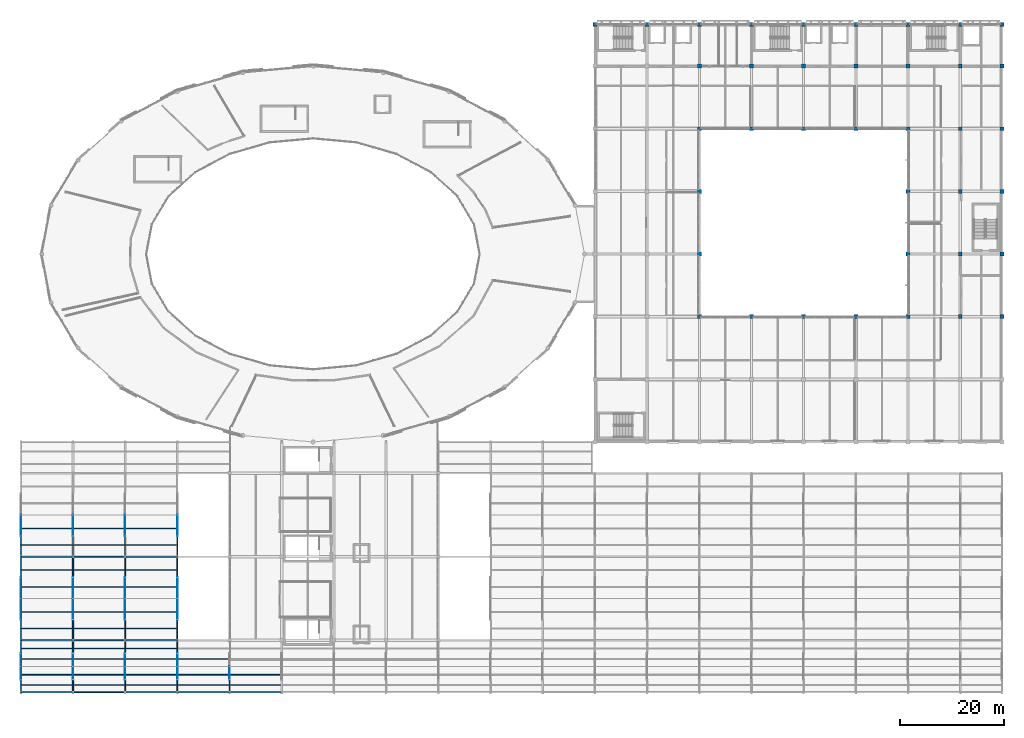
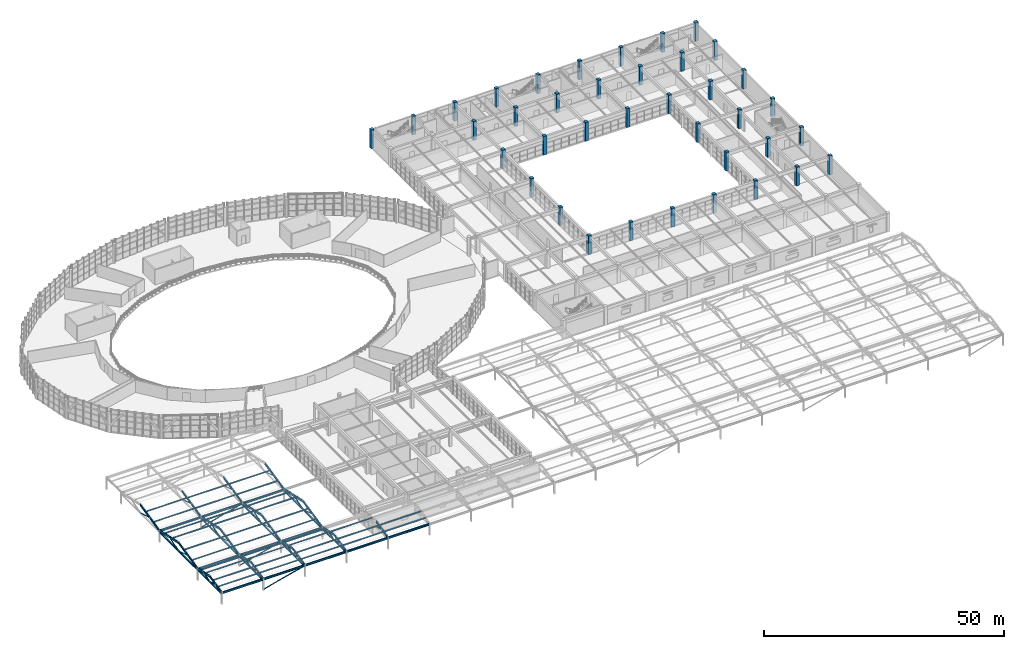
# One storey, part 14 of 109: 67 members, 38 columns, 32 beams.
"""IFC4 building model written with IfcOpenShell, lengths in metres."""

import ifcopenshell
import ifcopenshell.guid

model = None  # the IFC model being written
_history = None  # IfcOwnerHistory: only IFC2X3 demands one
_inside = {}  # id of a spatial element -> (the spatial element, [elements in it])
_under = {}  # id of a project, library or spatial element -> (it, [spatial elements below it])
_declared = {}  # id of a project -> (the project, [libraries it declares])
_typed = {}  # id of a type object -> (the type object, [elements of that type])
_made_of = {}  # id of a material, layer set ... -> (it, [elements and type objects made of it])


def new_model(schema):
    """Start an empty IFC model of exactly this schema.

    Asked for "IFC4X3", IfcOpenShell would pick the latest addendum, in which some entities
    have other attributes; the version numbers below select the first issue.
    IFC2X3 requires an IfcOwnerHistory on every rooted entity: one is made here for all.
    """
    global model, _history
    if schema == "IFC4X3":
        model = ifcopenshell.file(schema_version=(4, 3, 0, 0))
    else:
        model = ifcopenshell.file(schema=schema)
    _inside.clear()
    _under.clear()
    _declared.clear()
    _typed.clear()
    _made_of.clear()
    _history = None
    if model.schema == "IFC2X3":
        org = make("IfcOrganization", Name="unknown")
        user = make(
            "IfcPersonAndOrganization",
            ThePerson=make("IfcPerson", FamilyName="unknown"),
            TheOrganization=org,
        )
        app = make(
            "IfcApplication",
            ApplicationDeveloper=org,
            Version="unknown",
            ApplicationFullName="unknown",
            ApplicationIdentifier="unknown",
        )
        _history = make(
            "IfcOwnerHistory",
            OwningUser=user,
            OwningApplication=app,
            ChangeAction="ADDED",
            CreationDate=0,
        )
    return model


def make(cls, **values):
    """One entity of the class cls with the attributes given. An attribute that is None is left unset."""
    return model.create_entity(
        cls, **{name: value for name, value in values.items() if value is not None}
    )


def rooted(cls, **values):
    """An entity with a GlobalId (a new one), such as an element, a storey or a relation."""
    return make(cls, GlobalId=ifcopenshell.guid.new(), OwnerHistory=_history, **values)


def si_unit(unit_type, name, prefix=None):
    """IfcSIUnit, for example si_unit("LENGTHUNIT", "METRE", prefix="MILLI")."""
    return make("IfcSIUnit", UnitType=unit_type, Prefix=prefix, Name=name)


def assignment(units):
    """IfcUnitAssignment: the units of a project."""
    return None if units is None else make("IfcUnitAssignment", Units=units)


def point(xyz):
    """IfcCartesianPoint."""
    return None if xyz is None else make("IfcCartesianPoint", Coordinates=xyz)


def direction(xyz):
    """IfcDirection."""
    return None if xyz is None else make("IfcDirection", DirectionRatios=xyz)


def frame(location, z_axis=None, x_axis=None):
    """IfcAxis2Placement3D, a coordinate frame: its origin and axes. An axis left out is left unset."""
    return make(
        "IfcAxis2Placement3D",
        Location=point(location),
        Axis=direction(z_axis),
        RefDirection=direction(x_axis),
    )


def frame_2d(location, x_axis=None):
    """IfcAxis2Placement2D, a coordinate frame in the plane: its origin and x axis."""
    return make(
        "IfcAxis2Placement2D", Location=point(location), RefDirection=direction(x_axis)
    )


def origin():
    """The frame at (0, 0, 0) with its axes left unset."""
    return frame((0.0, 0.0, 0.0))


def origin_2d():
    """The frame at (0, 0) in the plane with its x axis left unset."""
    return frame_2d((0.0, 0.0))


def place(relative_to, where):
    """IfcLocalPlacement: puts the frame where relative to a parent placement (None: the world)."""
    return make(
        "IfcLocalPlacement", PlacementRelTo=relative_to, RelativePlacement=where
    )


def context(
    kind, dimensions, precision=None, world=None, true_north=None, identifier=None
):
    """IfcGeometricRepresentationContext, for example the 3D "Model" context."""
    return make(
        "IfcGeometricRepresentationContext",
        ContextIdentifier=identifier,
        ContextType=kind,
        CoordinateSpaceDimension=dimensions,
        Precision=precision,
        WorldCoordinateSystem=world,
        TrueNorth=true_north,
    )


def subcontext(parent, identifier, kind, view, scale=None):
    """IfcGeometricRepresentationSubContext, for example "Body" below "Model"."""
    return make(
        "IfcGeometricRepresentationSubContext",
        ContextIdentifier=identifier,
        ContextType=kind,
        ParentContext=parent,
        TargetScale=scale,
        TargetView=view,
    )


def project(units=None, contexts=None):
    """IfcProject with its units and contexts."""
    return rooted(
        "IfcProject",
        Name="project",
        RepresentationContexts=contexts,
        UnitsInContext=assignment(units),
    )


def spatial(cls, under=None, at=None, **own):
    """A site, building, storey or space (cls), placed at a placement, below another one or the project."""
    s = rooted(cls, ObjectPlacement=at, **own)
    if under is not None:
        _under.setdefault(under.id(), (under, []))[1].append(s)
    return s


def profile(cls, at=None, kind="AREA", **sizes):
    """A parametric profile (cls). Its sizes go by their IFC names, for example OverallWidth=200.0."""
    return make(cls, ProfileType=kind, Position=at, **sizes)


def rectangle(**sizes):
    """IfcRectangleProfileDef."""
    return profile("IfcRectangleProfileDef", **sizes)


def hollow_rectangle(**sizes):
    """IfcRectangleHollowProfileDef."""
    return profile("IfcRectangleHollowProfileDef", **sizes)


def hollow_circle(**sizes):
    """IfcCircleHollowProfileDef."""
    return profile("IfcCircleHollowProfileDef", **sizes)


def i_section(**sizes):
    """IfcIShapeProfileDef."""
    return profile("IfcIShapeProfileDef", **sizes)


def extrude(swept, where, along, depth):
    """IfcExtrudedAreaSolid: the profile swept, set in the frame where, extruded along a direction by depth."""
    return make(
        "IfcExtrudedAreaSolid",
        SweptArea=swept,
        Position=where,
        ExtrudedDirection=direction(along),
        Depth=depth,
    )


def shape(context_of_items, identifier, shape_type, items):
    """IfcShapeRepresentation: the items that make up one representation, for example the "Body"."""
    return make(
        "IfcShapeRepresentation",
        ContextOfItems=context_of_items,
        RepresentationIdentifier=identifier,
        RepresentationType=shape_type,
        Items=items,
    )


def material(Name=None, Category=None):
    """IfcMaterial."""
    return make("IfcMaterial", Name=Name, Category=Category)


def material_profile(
    of_material, cross_section, Name=None, Category=None, Priority=None
):
    """IfcMaterialProfile: a cross section and its material."""
    return make(
        "IfcMaterialProfile",
        Name=Name,
        Material=of_material,
        Profile=cross_section,
        Priority=Priority,
        Category=Category,
    )


def profile_set(profiles, Name=None, composite=None):
    """IfcMaterialProfileSet."""
    return make(
        "IfcMaterialProfileSet",
        Name=Name,
        MaterialProfiles=profiles,
        CompositeProfile=composite,
    )


def made_of(thing, what):
    """Note that an element or type object is made of a material, layer set ...; save() writes the relation."""
    if what is not None:
        _made_of.setdefault(what.id(), (what, []))[1].append(thing)
    return thing


def type_object(cls, material=None, **own):
    """A type object (cls), such as IfcWallType, which elements share."""
    return made_of(rooted(cls, **own), material)


def element(
    cls,
    number,
    at=None,
    inside=None,
    cuts=None,
    type_object=None,
    material=None,
    context=None,
    identifier="Body",
    shape_type=None,
    held_by="IfcProductDefinitionShape",
    body=None,
    shapes=None,
    **own,
):
    """One element of the class cls, such as IfcWall. Its Tag is "e" and its number.

    at: its placement. inside: the storey or other place that contains it. cuts: it is an
    opening in that element (IfcRelVoidsElement). A single representation is given by context,
    identifier, shape_type and body (its items); several are given by shapes. held_by: the class
    of the entity that holds the representations. save() writes the other relations.
    """
    e = rooted(cls, Tag="e%d" % number, ObjectPlacement=at, **own)
    if body is not None:
        shapes = [shape(context, identifier, shape_type, body)]
    if shapes is not None:
        e.Representation = make(held_by, Representations=shapes)
    if inside is not None:
        _inside.setdefault(inside.id(), (inside, []))[1].append(e)
    if cuts is not None:
        rooted(
            "IfcRelVoidsElement", RelatingBuildingElement=cuts, RelatedOpeningElement=e
        )
    if type_object is not None:
        _typed.setdefault(type_object.id(), (type_object, []))[1].append(e)
    return made_of(e, material)


def aggregate(whole, parts):
    """IfcRelAggregates: a whole, such as a stair, and the parts it consists of."""
    return rooted("IfcRelAggregates", RelatingObject=whole, RelatedObjects=parts)


def save(model, path):
    """Write the relations noted so far, then the file.

    IfcRelAggregates (storeys below a building ...), IfcRelContainedInSpatialStructure (elements
    in a storey), IfcRelDefinesByType, IfcRelAssociatesMaterial and IfcRelDeclares: one each for
    every whole, place, type object, material and project.
    """
    for whole, parts in _under.values():
        aggregate(whole, parts)
    for where, things in _inside.values():
        rooted(
            "IfcRelContainedInSpatialStructure",
            RelatedElements=things,
            RelatingStructure=where,
        )
    for kind, things in _typed.values():
        rooted("IfcRelDefinesByType", RelatedObjects=things, RelatingType=kind)
    for what, things in _made_of.values():
        rooted("IfcRelAssociatesMaterial", RelatedObjects=things, RelatingMaterial=what)
    for by, libraries in _declared.values():
        rooted("IfcRelDeclares", RelatingContext=by, RelatedDefinitions=libraries)
    model.write(path)


model = new_model("IFC4")

# Units and contexts
model_context = context("Model", 3, precision=1e-05, world=origin(), true_north=direction((0.0, 1.0)))
body_context = subcontext(model_context, "Body", "Model", "MODEL_VIEW")
ifc_project = project(units=[si_unit("LENGTHUNIT", "METRE"), si_unit("AREAUNIT", "SQUARE_METRE"), si_unit("VOLUMEUNIT", "CUBIC_METRE"), si_unit("PLANEANGLEUNIT", "RADIAN"), si_unit("MASSUNIT", "GRAM", prefix="KILO")], contexts=[model_context])

# Site, building, storey
site_placement = place(None, origin())
site = spatial("IfcSite", under=ifc_project, at=site_placement, CompositionType="ELEMENT")
building_placement = place(site_placement, origin())
building = spatial("IfcBuilding", under=site, at=building_placement, Name="Kivolera Central Railway Station", CompositionType="ELEMENT")
storey_placement = place(building_placement, frame((0.0, 0.0, 9.60009765625)))
storey = spatial("IfcBuildingStorey", under=building, at=storey_placement, Name="L02", CompositionType="ELEMENT", Elevation=9.60009765625)

# Columns
ifc_material_1 = material(Name="Concrete C40/50", Category="concrete")
ifc_material_profile_1 = material_profile(ifc_material_1, rectangle(XDim=0.75, YDim=0.75, at=origin_2d()), Name="RC 750x750")
ifc_profile_set_1 = profile_set([ifc_material_profile_1], Name="Concrete C40/50")
column_type = type_object("IfcColumnType", Name="COL-RC-750", PredefinedType="COLUMN", material=ifc_profile_set_1)
for number, where, z_axis, x_axis, name in (
    (1, (118.0, 134.0, 0.0), (0.0, 0.0, 1.0), (1.0, 0.0, 0.0), "L02 Wing Column 12-M"),
    (2, (128.0, 134.0, 0.0), (0.0, 0.0, 1.0), (1.0, 0.0, 0.0), "L02 Wing Column 13-M"),
    (3, (138.0, 78.0, 0.0), (0.0, 0.0, 1.0), (1.0, 0.0, 0.0), "L02 Wing Column 14-G"),
    (4, (138.0, 90.0, 0.0), (0.0, 0.0, 1.0), (1.0, 0.0, 0.0), "L02 Wing Column 14-H"),
    (5, (138.0, 102.0, 0.0), (0.0, 0.0, 1.0), (1.0, 0.0, 0.0), "L02 Wing Column 14-J"),
    (6, (138.0, 114.0, 0.0), (0.0, 0.0, 1.0), (1.0, 0.0, 0.0), "L02 Wing Column 14-K"),
    (7, (138.0, 126.0, 0.0), (0.0, 0.0, 1.0), (1.0, 0.0, 0.0), "L02 Wing Column 14-L"),
    (8, (138.0, 134.0, 0.0), (0.0, 0.0, 1.0), (1.0, 0.0, 0.0), "L02 Wing Column 14-M"),
    (9, (148.0, 78.0, 0.0), (0.0, 0.0, 1.0), (1.0, 0.0, 0.0), "L02 Wing Column 15-G"),
    (10, (148.0, 114.0, 0.0), (0.0, 0.0, 1.0), (1.0, 0.0, 0.0), "L02 Wing Column 15-K"),
    (11, (148.0, 126.0, 0.0), (0.0, 0.0, 1.0), (1.0, 0.0, 0.0), "L02 Wing Column 15-L"),
    (12, (148.0, 134.0, 0.0), (0.0, 0.0, 1.0), (1.0, 0.0, 0.0), "L02 Wing Column 15-M"),
    (13, (158.0, 78.0, 0.0), (0.0, 0.0, 1.0), (1.0, 0.0, 0.0), "L02 Wing Column 16-G"),
    (14, (158.0, 114.0, 0.0), (0.0, 0.0, 1.0), (1.0, 0.0, 0.0), "L02 Wing Column 16-K"),
    (15, (158.0, 126.0, 0.0), (0.0, 0.0, 1.0), (1.0, 0.0, 0.0), "L02 Wing Column 16-L"),
    (16, (158.0, 134.0, 0.0), (0.0, 0.0, 1.0), (1.0, 0.0, 0.0), "L02 Wing Column 16-M"),
    (17, (168.0, 78.0, 0.0), (0.0, 0.0, 1.0), (1.0, 0.0, 0.0), "L02 Wing Column 17-G"),
    (18, (168.0, 114.0, 0.0), (0.0, 0.0, 1.0), (1.0, 0.0, 0.0), "L02 Wing Column 17-K"),
    (19, (168.0, 126.0, 0.0), (0.0, 0.0, 1.0), (1.0, 0.0, 0.0), "L02 Wing Column 17-L"),
    (20, (168.0, 134.0, 0.0), (0.0, 0.0, 1.0), (1.0, 0.0, 0.0), "L02 Wing Column 17-M"),
    (21, (178.0, 78.0, 0.0), (0.0, 0.0, 1.0), (1.0, 0.0, 0.0), "L02 Wing Column 18-G"),
    (22, (178.0, 90.0, 0.0), (0.0, 0.0, 1.0), (1.0, 0.0, 0.0), "L02 Wing Column 18-H"),
    (23, (178.0, 102.0, 0.0), (0.0, 0.0, 1.0), (1.0, 0.0, 0.0), "L02 Wing Column 18-J"),
    (24, (178.0, 114.0, 0.0), (0.0, 0.0, 1.0), (1.0, 0.0, 0.0), "L02 Wing Column 18-K"),
    (25, (178.0, 126.0, 0.0), (0.0, 0.0, 1.0), (1.0, 0.0, 0.0), "L02 Wing Column 18-L"),
    (26, (178.0, 134.0, 0.0), (0.0, 0.0, 1.0), (1.0, 0.0, 0.0), "L02 Wing Column 18-M"),
    (27, (188.0, 78.0, 0.0), (0.0, 0.0, 1.0), (1.0, 0.0, 0.0), "L02 Wing Column 19-G"),
    (28, (188.0, 90.0, 0.0), (0.0, 0.0, 1.0), (1.0, 0.0, 0.0), "L02 Wing Column 19-H"),
    (29, (188.0, 102.0, 0.0), (0.0, 0.0, 1.0), (1.0, 0.0, 0.0), "L02 Wing Column 19-J"),
    (30, (188.0, 114.0, 0.0), (0.0, 0.0, 1.0), (1.0, 0.0, 0.0), "L02 Wing Column 19-K"),
    (31, (188.0, 126.0, 0.0), (0.0, 0.0, 1.0), (1.0, 0.0, 0.0), "L02 Wing Column 19-L"),
    (32, (188.0, 134.0, 0.0), (0.0, 0.0, 1.0), (1.0, 0.0, 0.0), "L02 Wing Column 19-M"),
    (33, (196.0, 78.0, 0.0), (0.0, 0.0, 1.0), (1.0, 0.0, 0.0), "L02 Wing Column 20-G"),
    (34, (196.0, 90.0, 0.0), (0.0, 0.0, 1.0), (1.0, 0.0, 0.0), "L02 Wing Column 20-H"),
    (35, (196.0, 102.0, 0.0), (0.0, 0.0, 1.0), (1.0, 0.0, 0.0), "L02 Wing Column 20-J"),
    (36, (196.0, 114.0, 0.0), (0.0, 0.0, 1.0), (1.0, 0.0, 0.0), "L02 Wing Column 20-K"),
    (37, (196.0, 126.0, 0.0), (0.0, 0.0, 1.0), (1.0, 0.0, 0.0), "L02 Wing Column 20-L"),
    (38, (196.0, 134.0, 0.0), (0.0, 0.0, 1.0), (1.0, 0.0, 0.0), "L02 Wing Column 20-M"),
):
    element("IfcColumn", number, at=place(storey_placement, frame(where, z_axis=z_axis, x_axis=x_axis)), inside=storey, type_object=column_type, Name=name, PredefinedType="COLUMN", context=body_context, shape_type="SweptSolid", body=[
        extrude(rectangle(XDim=0.75, YDim=0.75, at=origin_2d()), origin(), (0.0, 0.0, 1.0), 4.7998046875),
    ])

# Beams
ifc_material_2 = material(Name="Steel S355", Category="steel")
ifc_material_profile_2 = material_profile(ifc_material_2, i_section(OverallWidth=0.300048828125, OverallDepth=0.489990234375, WebThickness=0.011962890625, FlangeThickness=0.02294921875, FilletRadius=0.027099609375, at=origin_2d()), Name="HEA 500")
ifc_profile_set_2 = profile_set([ifc_material_profile_2], Name="Steel S355")
beam_type_1 = type_object("IfcBeamType", Name="BM-SHD-HEA500", PredefinedType="BEAM", material=ifc_profile_set_2)
for number, where, z_axis, x_axis, name in (
    (39, (8.136962890625, 6.0, 2.81982421875), (1.0, 0.0, 0.0), (0.0, 1.0, 0.0), "Train Shed Eave Girder A:1-2"),
    (40, (8.136962890625, 16.0, 2.81982421875), (1.0, 0.0, 0.0), (0.0, 1.0, 0.0), "Train Shed Eave Girder B:1-2"),
    (41, (8.136962890625, 32.0, 2.81982421875), (1.0, 0.0, 0.0), (0.0, 1.0, 0.0), "Train Shed Eave Girder C:1-2"),
    (42, (18.136962890625, 6.0, 2.81982421875), (1.0, 0.0, 0.0), (0.0, 1.0, 0.0), "Train Shed Eave Girder A:2-3"),
    (43, (18.136962890625, 16.0, 2.81982421875), (1.0, 0.0, 0.0), (0.0, 1.0, 0.0), "Train Shed Eave Girder B:2-3"),
    (44, (18.136962890625, 32.0, 2.81982421875), (1.0, 0.0, 0.0), (0.0, 1.0, 0.0), "Train Shed Eave Girder C:2-3"),
    (45, (28.136962890625, 6.0, 2.81982421875), (1.0, 0.0, 0.0), (0.0, 1.0, 0.0), "Train Shed Eave Girder A:3-4"),
    (46, (28.136962890625, 16.0, 2.81982421875), (1.0, 0.0, 0.0), (0.0, 1.0, 0.0), "Train Shed Eave Girder B:3-4"),
    (47, (28.136962890625, 32.0, 2.81982421875), (1.0, 0.0, 0.0), (0.0, 1.0, 0.0), "Train Shed Eave Girder C:3-4"),
    (48, (38.136962890625, 6.0, 2.81982421875), (1.0, 0.0, 0.0), (0.0, 1.0, 0.0), "Train Shed Eave Girder A:4-5"),
    (49, (48.136962890625, 6.0, 2.81982421875), (1.0, 0.0, 0.0), (0.0, 1.0, 0.0), "Train Shed Eave Girder A:5-6"),
):
    element("IfcBeam", number, at=place(storey_placement, frame(where, z_axis=z_axis, x_axis=x_axis)), inside=storey, type_object=beam_type_1, Name=name, PredefinedType="BEAM", context=body_context, shape_type="SweptSolid", body=[
        extrude(i_section(OverallWidth=0.300048828125, OverallDepth=0.489990234375, WebThickness=0.011962890625, FlangeThickness=0.02294921875, FilletRadius=0.027099609375, at=origin_2d()), origin(), (0.0, 0.0, 1.0), 9.72607421875),
    ])
ifc_material_profile_3 = material_profile(ifc_material_2, i_section(OverallWidth=0.209228515625, OverallDepth=0.533203125, WebThickness=0.010009765625, FlangeThickness=0.015625, FilletRadius=0.0126953125, at=origin_2d()), Name="UB 533x210x92")
ifc_profile_set_3 = profile_set([ifc_material_profile_3], Name="Steel S355")
beam_type_2 = type_object("IfcBeamType", Name="BM-SHD-UB533", PredefinedType="BEAM", material=ifc_profile_set_3)
for number, where, z_axis, x_axis, name in (
    (50, (8.0, 6.0, 2.9248046875), (0.0, 0.976640463768, 0.214879977038), (-1.0, 0.0, 0.0), "Train Shed Roof Truss Top Rafter AB-1S"),
    (51, (8.0, 11.0, 4.02490234375), (0.0, 0.976640463768, -0.214879977038), (-1.0, 0.0, 0.0), "Train Shed Roof Truss Top Rafter AB-1N"),
):
    element("IfcBeam", number, at=place(storey_placement, frame(where, z_axis=z_axis, x_axis=x_axis)), inside=storey, type_object=beam_type_2, Name=name, PredefinedType="BEAM", context=body_context, shape_type="SweptSolid", body=[
        extrude(i_section(OverallWidth=0.209228515625, OverallDepth=0.533203125, WebThickness=0.010009765625, FlangeThickness=0.015625, FilletRadius=0.0126953125, at=origin_2d()), origin(), (0.0, 0.0, 1.0), 5.11962890625),
    ])
for number, where, z_axis, x_axis, name in (
    (52, (8.0, 16.0, 2.9248046875), (0.0, 0.97664421653, 0.214862919829), (-1.0, 0.0, 0.0), "Train Shed Roof Truss Top Rafter BC-1S"),
    (53, (8.0, 24.0, 4.684814453125), (0.0, 0.97664421653, -0.214862919829), (-1.0, 0.0, 0.0), "Train Shed Roof Truss Top Rafter BC-1N"),
    (54, (8.0, 32.0, 2.9248046875), (0.0, 0.97664421653, 0.214862919829), (-1.0, 0.0, 0.0), "Train Shed Roof Truss Top Rafter CD-1S"),
):
    element("IfcBeam", number, at=place(storey_placement, frame(where, z_axis=z_axis, x_axis=x_axis)), inside=storey, type_object=beam_type_2, Name=name, PredefinedType="BEAM", context=body_context, shape_type="SweptSolid", body=[
        extrude(i_section(OverallWidth=0.209228515625, OverallDepth=0.533203125, WebThickness=0.010009765625, FlangeThickness=0.015625, FilletRadius=0.0126953125, at=origin_2d()), origin(), (0.0, 0.0, 1.0), 8.19140625),
    ])
for number, where, z_axis, x_axis, name in (
    (55, (18.0, 6.0, 2.9248046875), (0.0, 0.976640463768, 0.214879977038), (-1.0, 0.0, 0.0), "Train Shed Roof Truss Top Rafter AB-2S"),
    (56, (18.0, 11.0, 4.02490234375), (0.0, 0.976640463768, -0.214879977038), (-1.0, 0.0, 0.0), "Train Shed Roof Truss Top Rafter AB-2N"),
):
    element("IfcBeam", number, at=place(storey_placement, frame(where, z_axis=z_axis, x_axis=x_axis)), inside=storey, type_object=beam_type_2, Name=name, PredefinedType="BEAM", context=body_context, shape_type="SweptSolid", body=[
        extrude(i_section(OverallWidth=0.209228515625, OverallDepth=0.533203125, WebThickness=0.010009765625, FlangeThickness=0.015625, FilletRadius=0.0126953125, at=origin_2d()), origin(), (0.0, 0.0, 1.0), 5.11962890625),
    ])
for number, where, z_axis, x_axis, name in (
    (57, (18.0, 16.0, 2.9248046875), (0.0, 0.97664421653, 0.214862919829), (-1.0, 0.0, 0.0), "Train Shed Roof Truss Top Rafter BC-2S"),
    (58, (18.0, 24.0, 4.684814453125), (0.0, 0.97664421653, -0.214862919829), (-1.0, 0.0, 0.0), "Train Shed Roof Truss Top Rafter BC-2N"),
    (59, (18.0, 32.0, 2.9248046875), (0.0, 0.97664421653, 0.214862919829), (-1.0, 0.0, 0.0), "Train Shed Roof Truss Top Rafter CD-2S"),
):
    element("IfcBeam", number, at=place(storey_placement, frame(where, z_axis=z_axis, x_axis=x_axis)), inside=storey, type_object=beam_type_2, Name=name, PredefinedType="BEAM", context=body_context, shape_type="SweptSolid", body=[
        extrude(i_section(OverallWidth=0.209228515625, OverallDepth=0.533203125, WebThickness=0.010009765625, FlangeThickness=0.015625, FilletRadius=0.0126953125, at=origin_2d()), origin(), (0.0, 0.0, 1.0), 8.19140625),
    ])
for number, where, z_axis, x_axis, name in (
    (60, (28.0, 6.0, 2.9248046875), (0.0, 0.976640463768, 0.214879977038), (-1.0, 0.0, 0.0), "Train Shed Roof Truss Top Rafter AB-3S"),
    (61, (28.0, 11.0, 4.02490234375), (0.0, 0.976640463768, -0.214879977038), (-1.0, 0.0, 0.0), "Train Shed Roof Truss Top Rafter AB-3N"),
):
    element("IfcBeam", number, at=place(storey_placement, frame(where, z_axis=z_axis, x_axis=x_axis)), inside=storey, type_object=beam_type_2, Name=name, PredefinedType="BEAM", context=body_context, shape_type="SweptSolid", body=[
        extrude(i_section(OverallWidth=0.209228515625, OverallDepth=0.533203125, WebThickness=0.010009765625, FlangeThickness=0.015625, FilletRadius=0.0126953125, at=origin_2d()), origin(), (0.0, 0.0, 1.0), 5.11962890625),
    ])
for number, where, z_axis, x_axis, name in (
    (62, (28.0, 16.0, 2.9248046875), (0.0, 0.97664421653, 0.214862919829), (-1.0, 0.0, 0.0), "Train Shed Roof Truss Top Rafter BC-3S"),
    (63, (28.0, 24.0, 4.684814453125), (0.0, 0.97664421653, -0.214862919829), (-1.0, 0.0, 0.0), "Train Shed Roof Truss Top Rafter BC-3N"),
    (64, (28.0, 32.0, 2.9248046875), (0.0, 0.97664421653, 0.214862919829), (-1.0, 0.0, 0.0), "Train Shed Roof Truss Top Rafter CD-3S"),
):
    element("IfcBeam", number, at=place(storey_placement, frame(where, z_axis=z_axis, x_axis=x_axis)), inside=storey, type_object=beam_type_2, Name=name, PredefinedType="BEAM", context=body_context, shape_type="SweptSolid", body=[
        extrude(i_section(OverallWidth=0.209228515625, OverallDepth=0.533203125, WebThickness=0.010009765625, FlangeThickness=0.015625, FilletRadius=0.0126953125, at=origin_2d()), origin(), (0.0, 0.0, 1.0), 8.19140625),
    ])
for number, where, z_axis, x_axis, name in (
    (65, (38.0, 6.0, 2.9248046875), (0.0, 0.976640463768, 0.214879977038), (-1.0, 0.0, 0.0), "Train Shed Roof Truss Top Rafter AB-4S"),
    (66, (38.0, 11.0, 4.02490234375), (0.0, 0.976640463768, -0.214879977038), (-1.0, 0.0, 0.0), "Train Shed Roof Truss Top Rafter AB-4N"),
):
    element("IfcBeam", number, at=place(storey_placement, frame(where, z_axis=z_axis, x_axis=x_axis)), inside=storey, type_object=beam_type_2, Name=name, PredefinedType="BEAM", context=body_context, shape_type="SweptSolid", body=[
        extrude(i_section(OverallWidth=0.209228515625, OverallDepth=0.533203125, WebThickness=0.010009765625, FlangeThickness=0.015625, FilletRadius=0.0126953125, at=origin_2d()), origin(), (0.0, 0.0, 1.0), 5.11962890625),
    ])
for number, where, z_axis, x_axis, name in (
    (67, (38.0, 16.0, 2.9248046875), (0.0, 0.97664421653, 0.214862919829), (-1.0, 0.0, 0.0), "Train Shed Roof Truss Top Rafter BC-4S"),
    (68, (38.0, 24.0, 4.684814453125), (0.0, 0.97664421653, -0.214862919829), (-1.0, 0.0, 0.0), "Train Shed Roof Truss Top Rafter BC-4N"),
    (69, (38.0, 32.0, 2.9248046875), (0.0, 0.97664421653, 0.214862919829), (-1.0, 0.0, 0.0), "Train Shed Roof Truss Top Rafter CD-4S"),
):
    element("IfcBeam", number, at=place(storey_placement, frame(where, z_axis=z_axis, x_axis=x_axis)), inside=storey, type_object=beam_type_2, Name=name, PredefinedType="BEAM", context=body_context, shape_type="SweptSolid", body=[
        extrude(i_section(OverallWidth=0.209228515625, OverallDepth=0.533203125, WebThickness=0.010009765625, FlangeThickness=0.015625, FilletRadius=0.0126953125, at=origin_2d()), origin(), (0.0, 0.0, 1.0), 8.19140625),
    ])
beam_placement = place(storey_placement, frame((48.0, 6.0, 2.9248046875), z_axis=(0.0, 0.976640463768, 0.214879977038), x_axis=(-1.0, 0.0, 0.0)))
element("IfcBeam", 70, at=beam_placement, inside=storey, type_object=beam_type_2, Name="Train Shed Roof Truss Top Rafter AB-5S", PredefinedType="BEAM", context=body_context, shape_type="SweptSolid", body=[
    extrude(i_section(OverallWidth=0.209228515625, OverallDepth=0.533203125, WebThickness=0.010009765625, FlangeThickness=0.015625, FilletRadius=0.0126953125, at=origin_2d()), origin(), (0.0, 0.0, 1.0), 5.11962890625),
])

# Members
ifc_material_profile_4 = material_profile(ifc_material_2, hollow_circle(Radius=0.084228515625, WallThickness=0.008056640625, at=origin_2d()), Name="CHS 168.3x8")
ifc_profile_set_4 = profile_set([ifc_material_profile_4], Name="Steel S355")
member_type_1 = type_object("IfcMemberType", Name="MEM-BRC-CHS168", PredefinedType="BRACE", material=ifc_profile_set_4)
for number, where, z_axis, x_axis, name in (
    (71, (18.126953125, 6.0, 0.25), (0.96863991136, 0.0, 0.248468754818), (0.0, 1.0, 0.0), "Train Shed Longitudinal Portal Brace A:2-3"),
    (72, (18.126953125, 16.0, 0.25), (0.96863991136, 0.0, 0.248468754818), (0.0, 1.0, 0.0), "Train Shed Longitudinal Portal Brace B:2-3"),
    (73, (18.126953125, 32.0, 0.25), (0.96863991136, 0.0, 0.248468754818), (0.0, 1.0, 0.0), "Train Shed Longitudinal Portal Brace C:2-3"),
):
    element("IfcMember", number, at=place(storey_placement, frame(where, z_axis=z_axis, x_axis=x_axis)), inside=storey, type_object=member_type_1, Name=name, PredefinedType="BRACE", context=body_context, shape_type="SweptSolid", body=[
        extrude(hollow_circle(Radius=0.084228515625, WallThickness=0.008056640625, at=origin_2d()), origin(), (0.0, 0.0, 1.0), 10.0615234375),
    ])
ifc_material_profile_5 = material_profile(ifc_material_2, i_section(OverallWidth=0.300048828125, OverallDepth=0.300048828125, WebThickness=0.010986328125, FlangeThickness=0.01904296875, FilletRadius=0.027099609375, at=origin_2d()), Name="HEB 300")
ifc_profile_set_5 = profile_set([ifc_material_profile_5], Name="Steel S355")
member_type_2 = type_object("IfcMemberType", Name="MEM-CHD-HEB300", PredefinedType="CHORD", material=ifc_profile_set_5)
member_1_placement = place(storey_placement, frame((8.0, 6.080078125, 2.619873046875), z_axis=(0.0, 1.0, 0.0), x_axis=(-1.0, 0.0, 0.0)))
element("IfcMember", 74, at=member_1_placement, inside=storey, type_object=member_type_2, Name="Train Shed Roof Truss Bottom Tie Chord AB-1", PredefinedType="CHORD", context=body_context, shape_type="SweptSolid", body=[
    extrude(i_section(OverallWidth=0.300048828125, OverallDepth=0.300048828125, WebThickness=0.010986328125, FlangeThickness=0.01904296875, FilletRadius=0.027099609375, at=origin_2d()), origin(), (0.0, 0.0, 1.0), 9.83984375),
])
member_2_placement = place(storey_placement, frame((8.0, 16.080078125, 2.619873046875), z_axis=(0.0, 1.0, 0.0), x_axis=(-1.0, 0.0, 0.0)))
element("IfcMember", 75, at=member_2_placement, inside=storey, type_object=member_type_2, Name="Train Shed Roof Truss Bottom Tie Chord BC-1", PredefinedType="CHORD", context=body_context, shape_type="SweptSolid", body=[
    extrude(i_section(OverallWidth=0.300048828125, OverallDepth=0.300048828125, WebThickness=0.010986328125, FlangeThickness=0.01904296875, FilletRadius=0.027099609375, at=origin_2d()), origin(), (0.0, 0.0, 1.0), 15.83984375),
])
member_3_placement = place(storey_placement, frame((18.0, 6.080078125, 2.619873046875), z_axis=(0.0, 1.0, 0.0), x_axis=(-1.0, 0.0, 0.0)))
element("IfcMember", 76, at=member_3_placement, inside=storey, type_object=member_type_2, Name="Train Shed Roof Truss Bottom Tie Chord AB-2", PredefinedType="CHORD", context=body_context, shape_type="SweptSolid", body=[
    extrude(i_section(OverallWidth=0.300048828125, OverallDepth=0.300048828125, WebThickness=0.010986328125, FlangeThickness=0.01904296875, FilletRadius=0.027099609375, at=origin_2d()), origin(), (0.0, 0.0, 1.0), 9.83984375),
])
member_4_placement = place(storey_placement, frame((18.0, 16.080078125, 2.619873046875), z_axis=(0.0, 1.0, 0.0), x_axis=(-1.0, 0.0, 0.0)))
element("IfcMember", 77, at=member_4_placement, inside=storey, type_object=member_type_2, Name="Train Shed Roof Truss Bottom Tie Chord BC-2", PredefinedType="CHORD", context=body_context, shape_type="SweptSolid", body=[
    extrude(i_section(OverallWidth=0.300048828125, OverallDepth=0.300048828125, WebThickness=0.010986328125, FlangeThickness=0.01904296875, FilletRadius=0.027099609375, at=origin_2d()), origin(), (0.0, 0.0, 1.0), 15.83984375),
])
member_5_placement = place(storey_placement, frame((28.0, 6.080078125, 2.619873046875), z_axis=(0.0, 1.0, 0.0), x_axis=(-1.0, 0.0, 0.0)))
element("IfcMember", 78, at=member_5_placement, inside=storey, type_object=member_type_2, Name="Train Shed Roof Truss Bottom Tie Chord AB-3", PredefinedType="CHORD", context=body_context, shape_type="SweptSolid", body=[
    extrude(i_section(OverallWidth=0.300048828125, OverallDepth=0.300048828125, WebThickness=0.010986328125, FlangeThickness=0.01904296875, FilletRadius=0.027099609375, at=origin_2d()), origin(), (0.0, 0.0, 1.0), 9.83984375),
])
member_6_placement = place(storey_placement, frame((28.0, 16.080078125, 2.619873046875), z_axis=(0.0, 1.0, 0.0), x_axis=(-1.0, 0.0, 0.0)))
element("IfcMember", 79, at=member_6_placement, inside=storey, type_object=member_type_2, Name="Train Shed Roof Truss Bottom Tie Chord BC-3", PredefinedType="CHORD", context=body_context, shape_type="SweptSolid", body=[
    extrude(i_section(OverallWidth=0.300048828125, OverallDepth=0.300048828125, WebThickness=0.010986328125, FlangeThickness=0.01904296875, FilletRadius=0.027099609375, at=origin_2d()), origin(), (0.0, 0.0, 1.0), 15.83984375),
])
member_7_placement = place(storey_placement, frame((38.0, 6.080078125, 2.619873046875), z_axis=(0.0, 1.0, 0.0), x_axis=(-1.0, 0.0, 0.0)))
element("IfcMember", 80, at=member_7_placement, inside=storey, type_object=member_type_2, Name="Train Shed Roof Truss Bottom Tie Chord AB-4", PredefinedType="CHORD", context=body_context, shape_type="SweptSolid", body=[
    extrude(i_section(OverallWidth=0.300048828125, OverallDepth=0.300048828125, WebThickness=0.010986328125, FlangeThickness=0.01904296875, FilletRadius=0.027099609375, at=origin_2d()), origin(), (0.0, 0.0, 1.0), 9.83984375),
])
member_8_placement = place(storey_placement, frame((38.0, 16.080078125, 2.619873046875), z_axis=(0.0, 1.0, 0.0), x_axis=(-1.0, 0.0, 0.0)))
element("IfcMember", 81, at=member_8_placement, inside=storey, type_object=member_type_2, Name="Train Shed Roof Truss Bottom Tie Chord BC-4", PredefinedType="CHORD", context=body_context, shape_type="SweptSolid", body=[
    extrude(i_section(OverallWidth=0.300048828125, OverallDepth=0.300048828125, WebThickness=0.010986328125, FlangeThickness=0.01904296875, FilletRadius=0.027099609375, at=origin_2d()), origin(), (0.0, 0.0, 1.0), 15.83984375),
])
ifc_material_profile_6 = material_profile(ifc_material_2, i_section(OverallWidth=0.1201171875, OverallDepth=0.239990234375, WebThickness=0.006103515625, FlangeThickness=0.009765625, FilletRadius=0.014892578125, at=origin_2d()), Name="IPE 240")
ifc_profile_set_6 = profile_set([ifc_material_profile_6], Name="Steel S355")
member_type_3 = type_object("IfcMemberType", Name="MEM-PUR-IPE240", PredefinedType="PURLIN", material=ifc_profile_set_6)
for number, where, z_axis, x_axis, name in (
    (82, (8.080078125, 7.39990234375, 3.61279296875), (1.0, 0.0, 0.0), (0.0, 1.0, 0.0), "Train Shed Roof Purlin AB-01-S1"),
    (83, (8.080078125, 12.39990234375, 4.096923828125), (1.0, 0.0, 0.0), (0.0, 1.0, 0.0), "Train Shed Roof Purlin AB-01-N1"),
    (84, (8.080078125, 9.39990234375, 4.052978515625), (1.0, 0.0, 0.0), (0.0, 1.0, 0.0), "Train Shed Roof Purlin AB-01-S2"),
    (85, (8.080078125, 14.39990234375, 3.656982421875), (1.0, 0.0, 0.0), (0.0, 1.0, 0.0), "Train Shed Roof Purlin AB-01-N2"),
    (86, (8.080078125, 18.239990234375, 3.7978515625), (1.0, 0.0, 0.0), (0.0, 1.0, 0.0), "Train Shed Roof Purlin BC-01-S1"),
    (87, (8.080078125, 26.239990234375, 4.572021484375), (1.0, 0.0, 0.0), (0.0, 1.0, 0.0), "Train Shed Roof Purlin BC-01-N1"),
    (88, (8.080078125, 21.43994140625, 4.501953125), (1.0, 0.0, 0.0), (0.0, 1.0, 0.0), "Train Shed Roof Purlin BC-01-S2"),
    (89, (8.080078125, 29.43994140625, 3.867919921875), (1.0, 0.0, 0.0), (0.0, 1.0, 0.0), "Train Shed Roof Purlin BC-01-N2"),
    (90, (8.080078125, 34.239990234375, 3.7978515625), (1.0, 0.0, 0.0), (0.0, 1.0, 0.0), "Train Shed Roof Purlin CD-01-S1"),
    (91, (8.080078125, 37.43994140625, 4.501953125), (1.0, 0.0, 0.0), (0.0, 1.0, 0.0), "Train Shed Roof Purlin CD-01-S2"),
    (92, (18.080078125, 7.39990234375, 3.61279296875), (1.0, 0.0, 0.0), (0.0, 1.0, 0.0), "Train Shed Roof Purlin AB-02-S1"),
    (93, (18.080078125, 12.39990234375, 4.096923828125), (1.0, 0.0, 0.0), (0.0, 1.0, 0.0), "Train Shed Roof Purlin AB-02-N1"),
    (94, (18.080078125, 9.39990234375, 4.052978515625), (1.0, 0.0, 0.0), (0.0, 1.0, 0.0), "Train Shed Roof Purlin AB-02-S2"),
    (95, (18.080078125, 14.39990234375, 3.656982421875), (1.0, 0.0, 0.0), (0.0, 1.0, 0.0), "Train Shed Roof Purlin AB-02-N2"),
    (96, (18.080078125, 18.239990234375, 3.7978515625), (1.0, 0.0, 0.0), (0.0, 1.0, 0.0), "Train Shed Roof Purlin BC-02-S1"),
    (97, (18.080078125, 26.239990234375, 4.572021484375), (1.0, 0.0, 0.0), (0.0, 1.0, 0.0), "Train Shed Roof Purlin BC-02-N1"),
    (98, (18.080078125, 21.43994140625, 4.501953125), (1.0, 0.0, 0.0), (0.0, 1.0, 0.0), "Train Shed Roof Purlin BC-02-S2"),
    (99, (18.080078125, 29.43994140625, 3.867919921875), (1.0, 0.0, 0.0), (0.0, 1.0, 0.0), "Train Shed Roof Purlin BC-02-N2"),
    (100, (18.080078125, 34.239990234375, 3.7978515625), (1.0, 0.0, 0.0), (0.0, 1.0, 0.0), "Train Shed Roof Purlin CD-02-S1"),
    (101, (18.080078125, 37.43994140625, 4.501953125), (1.0, 0.0, 0.0), (0.0, 1.0, 0.0), "Train Shed Roof Purlin CD-02-S2"),
    (102, (28.080078125, 7.39990234375, 3.61279296875), (1.0, 0.0, 0.0), (0.0, 1.0, 0.0), "Train Shed Roof Purlin AB-03-S1"),
    (103, (28.080078125, 12.39990234375, 4.096923828125), (1.0, 0.0, 0.0), (0.0, 1.0, 0.0), "Train Shed Roof Purlin AB-03-N1"),
    (104, (28.080078125, 9.39990234375, 4.052978515625), (1.0, 0.0, 0.0), (0.0, 1.0, 0.0), "Train Shed Roof Purlin AB-03-S2"),
    (105, (28.080078125, 14.39990234375, 3.656982421875), (1.0, 0.0, 0.0), (0.0, 1.0, 0.0), "Train Shed Roof Purlin AB-03-N2"),
    (106, (28.080078125, 18.239990234375, 3.7978515625), (1.0, 0.0, 0.0), (0.0, 1.0, 0.0), "Train Shed Roof Purlin BC-03-S1"),
    (107, (28.080078125, 26.239990234375, 4.572021484375), (1.0, 0.0, 0.0), (0.0, 1.0, 0.0), "Train Shed Roof Purlin BC-03-N1"),
    (108, (28.080078125, 21.43994140625, 4.501953125), (1.0, 0.0, 0.0), (0.0, 1.0, 0.0), "Train Shed Roof Purlin BC-03-S2"),
    (109, (28.080078125, 29.43994140625, 3.867919921875), (1.0, 0.0, 0.0), (0.0, 1.0, 0.0), "Train Shed Roof Purlin BC-03-N2"),
    (110, (28.080078125, 34.239990234375, 3.7978515625), (1.0, 0.0, 0.0), (0.0, 1.0, 0.0), "Train Shed Roof Purlin CD-03-S1"),
    (111, (28.080078125, 37.43994140625, 4.501953125), (1.0, 0.0, 0.0), (0.0, 1.0, 0.0), "Train Shed Roof Purlin CD-03-S2"),
    (112, (38.080078125, 7.39990234375, 3.61279296875), (1.0, 0.0, 0.0), (0.0, 1.0, 0.0), "Train Shed Roof Purlin AB-04-S1"),
    (113, (38.080078125, 12.39990234375, 4.096923828125), (1.0, 0.0, 0.0), (0.0, 1.0, 0.0), "Train Shed Roof Purlin AB-04-N1"),
    (114, (38.080078125, 9.39990234375, 4.052978515625), (1.0, 0.0, 0.0), (0.0, 1.0, 0.0), "Train Shed Roof Purlin AB-04-S2"),
    (115, (48.080078125, 7.39990234375, 3.61279296875), (1.0, 0.0, 0.0), (0.0, 1.0, 0.0), "Train Shed Roof Purlin AB-05-S1"),
    (116, (48.080078125, 9.39990234375, 4.052978515625), (1.0, 0.0, 0.0), (0.0, 1.0, 0.0), "Train Shed Roof Purlin AB-05-S2"),
):
    element("IfcMember", number, at=place(storey_placement, frame(where, z_axis=z_axis, x_axis=x_axis)), inside=storey, type_object=member_type_3, Name=name, PredefinedType="PURLIN", context=body_context, shape_type="SweptSolid", body=[
        extrude(i_section(OverallWidth=0.1201171875, OverallDepth=0.239990234375, WebThickness=0.006103515625, FlangeThickness=0.009765625, FilletRadius=0.014892578125, at=origin_2d()), origin(), (0.0, 0.0, 1.0), 9.83984375),
    ])
ifc_material_profile_7 = material_profile(ifc_material_2, hollow_rectangle(XDim=0.10009765625, YDim=0.199951171875, WallThickness=0.010009765625, at=origin_2d()), Name="RHS 200x100x10")
ifc_profile_set_7 = profile_set([ifc_material_profile_7], Name="Steel S355")
member_type_4 = type_object("IfcMemberType", Name="MEM-STR-RHS200", PredefinedType="STRUT", material=ifc_profile_set_7)
for number, where, z_axis, x_axis, name in (
    (117, (8.0, 11.0, 2.619873046875), (0.0, -0.946196747594, 0.323591895515), (1.0, 0.0, 0.0), "Train Shed Truss Web Strut AB-1-1"),
    (118, (8.0, 11.0, 2.619873046875), (0.0, 0.946196747594, 0.323591895515), (-1.0, 0.0, 0.0), "Train Shed Truss Web Strut AB-1-2"),
):
    element("IfcMember", number, at=place(storey_placement, frame(where, z_axis=z_axis, x_axis=x_axis)), inside=storey, type_object=member_type_4, Name=name, PredefinedType="STRUT", context=body_context, shape_type="SweptSolid", body=[
        extrude(hollow_rectangle(XDim=0.10009765625, YDim=0.199951171875, WallThickness=0.010009765625, at=origin_2d()), origin(), (0.0, 0.0, 1.0), 2.64208984375),
    ])
for number, where, z_axis, x_axis, name in (
    (119, (8.0, 24.0, 2.619873046875), (0.0, -0.958806377549, 0.284060434364), (1.0, 0.0, 0.0), "Train Shed Truss Web Strut BC-1-1"),
    (120, (8.0, 24.0, 2.619873046875), (0.0, 0.958806377549, 0.284060434364), (-1.0, 0.0, 0.0), "Train Shed Truss Web Strut BC-1-2"),
    (121, (8.0, 40.0, 2.619873046875), (0.0, -0.958806377549, 0.284060434364), (1.0, 0.0, 0.0), "Train Shed Truss Web Strut CD-1-1"),
):
    element("IfcMember", number, at=place(storey_placement, frame(where, z_axis=z_axis, x_axis=x_axis)), inside=storey, type_object=member_type_4, Name=name, PredefinedType="STRUT", context=body_context, shape_type="SweptSolid", body=[
        extrude(hollow_rectangle(XDim=0.10009765625, YDim=0.199951171875, WallThickness=0.010009765625, at=origin_2d()), origin(), (0.0, 0.0, 1.0), 4.171875),
    ])
for number, where, z_axis, x_axis, name in (
    (122, (18.0, 11.0, 2.619873046875), (0.0, -0.946196747594, 0.323591895515), (1.0, 0.0, 0.0), "Train Shed Truss Web Strut AB-2-1"),
    (123, (18.0, 11.0, 2.619873046875), (0.0, 0.946196747594, 0.323591895515), (-1.0, 0.0, 0.0), "Train Shed Truss Web Strut AB-2-2"),
):
    element("IfcMember", number, at=place(storey_placement, frame(where, z_axis=z_axis, x_axis=x_axis)), inside=storey, type_object=member_type_4, Name=name, PredefinedType="STRUT", context=body_context, shape_type="SweptSolid", body=[
        extrude(hollow_rectangle(XDim=0.10009765625, YDim=0.199951171875, WallThickness=0.010009765625, at=origin_2d()), origin(), (0.0, 0.0, 1.0), 2.64208984375),
    ])
for number, where, z_axis, x_axis, name in (
    (124, (18.0, 24.0, 2.619873046875), (0.0, -0.958806377549, 0.284060434364), (1.0, 0.0, 0.0), "Train Shed Truss Web Strut BC-2-1"),
    (125, (18.0, 24.0, 2.619873046875), (0.0, 0.958806377549, 0.284060434364), (-1.0, 0.0, 0.0), "Train Shed Truss Web Strut BC-2-2"),
    (126, (18.0, 40.0, 2.619873046875), (0.0, -0.958806377549, 0.284060434364), (1.0, 0.0, 0.0), "Train Shed Truss Web Strut CD-2-1"),
):
    element("IfcMember", number, at=place(storey_placement, frame(where, z_axis=z_axis, x_axis=x_axis)), inside=storey, type_object=member_type_4, Name=name, PredefinedType="STRUT", context=body_context, shape_type="SweptSolid", body=[
        extrude(hollow_rectangle(XDim=0.10009765625, YDim=0.199951171875, WallThickness=0.010009765625, at=origin_2d()), origin(), (0.0, 0.0, 1.0), 4.171875),
    ])
for number, where, z_axis, x_axis, name in (
    (127, (28.0, 11.0, 2.619873046875), (0.0, -0.946196747594, 0.323591895515), (1.0, 0.0, 0.0), "Train Shed Truss Web Strut AB-3-1"),
    (128, (28.0, 11.0, 2.619873046875), (0.0, 0.946196747594, 0.323591895515), (-1.0, 0.0, 0.0), "Train Shed Truss Web Strut AB-3-2"),
):
    element("IfcMember", number, at=place(storey_placement, frame(where, z_axis=z_axis, x_axis=x_axis)), inside=storey, type_object=member_type_4, Name=name, PredefinedType="STRUT", context=body_context, shape_type="SweptSolid", body=[
        extrude(hollow_rectangle(XDim=0.10009765625, YDim=0.199951171875, WallThickness=0.010009765625, at=origin_2d()), origin(), (0.0, 0.0, 1.0), 2.64208984375),
    ])
for number, where, z_axis, x_axis, name in (
    (129, (28.0, 24.0, 2.619873046875), (0.0, -0.958806377549, 0.284060434364), (1.0, 0.0, 0.0), "Train Shed Truss Web Strut BC-3-1"),
    (130, (28.0, 24.0, 2.619873046875), (0.0, 0.958806377549, 0.284060434364), (-1.0, 0.0, 0.0), "Train Shed Truss Web Strut BC-3-2"),
    (131, (28.0, 40.0, 2.619873046875), (0.0, -0.958806377549, 0.284060434364), (1.0, 0.0, 0.0), "Train Shed Truss Web Strut CD-3-1"),
):
    element("IfcMember", number, at=place(storey_placement, frame(where, z_axis=z_axis, x_axis=x_axis)), inside=storey, type_object=member_type_4, Name=name, PredefinedType="STRUT", context=body_context, shape_type="SweptSolid", body=[
        extrude(hollow_rectangle(XDim=0.10009765625, YDim=0.199951171875, WallThickness=0.010009765625, at=origin_2d()), origin(), (0.0, 0.0, 1.0), 4.171875),
    ])
for number, where, z_axis, x_axis, name in (
    (132, (38.0, 11.0, 2.619873046875), (0.0, -0.946196747594, 0.323591895515), (1.0, 0.0, 0.0), "Train Shed Truss Web Strut AB-4-1"),
    (133, (38.0, 11.0, 2.619873046875), (0.0, 0.946196747594, 0.323591895515), (-1.0, 0.0, 0.0), "Train Shed Truss Web Strut AB-4-2"),
):
    element("IfcMember", number, at=place(storey_placement, frame(where, z_axis=z_axis, x_axis=x_axis)), inside=storey, type_object=member_type_4, Name=name, PredefinedType="STRUT", context=body_context, shape_type="SweptSolid", body=[
        extrude(hollow_rectangle(XDim=0.10009765625, YDim=0.199951171875, WallThickness=0.010009765625, at=origin_2d()), origin(), (0.0, 0.0, 1.0), 2.64208984375),
    ])
for number, where, z_axis, x_axis, name in (
    (134, (38.0, 24.0, 2.619873046875), (0.0, -0.958806377549, 0.284060434364), (1.0, 0.0, 0.0), "Train Shed Truss Web Strut BC-4-1"),
    (135, (38.0, 24.0, 2.619873046875), (0.0, 0.958806377549, 0.284060434364), (-1.0, 0.0, 0.0), "Train Shed Truss Web Strut BC-4-2"),
    (136, (38.0, 40.0, 2.619873046875), (0.0, -0.958806377549, 0.284060434364), (1.0, 0.0, 0.0), "Train Shed Truss Web Strut CD-4-1"),
):
    element("IfcMember", number, at=place(storey_placement, frame(where, z_axis=z_axis, x_axis=x_axis)), inside=storey, type_object=member_type_4, Name=name, PredefinedType="STRUT", context=body_context, shape_type="SweptSolid", body=[
        extrude(hollow_rectangle(XDim=0.10009765625, YDim=0.199951171875, WallThickness=0.010009765625, at=origin_2d()), origin(), (0.0, 0.0, 1.0), 4.171875),
    ])
member_9_placement = place(storey_placement, frame((48.0, 11.0, 2.619873046875), z_axis=(0.0, -0.946196747594, 0.323591895515), x_axis=(1.0, 0.0, 0.0)))
element("IfcMember", 137, at=member_9_placement, inside=storey, type_object=member_type_4, Name="Train Shed Truss Web Strut AB-5-1", PredefinedType="STRUT", context=body_context, shape_type="SweptSolid", body=[
    extrude(hollow_rectangle(XDim=0.10009765625, YDim=0.199951171875, WallThickness=0.010009765625, at=origin_2d()), origin(), (0.0, 0.0, 1.0), 2.64208984375),
])

save(model, "model.ifc")
